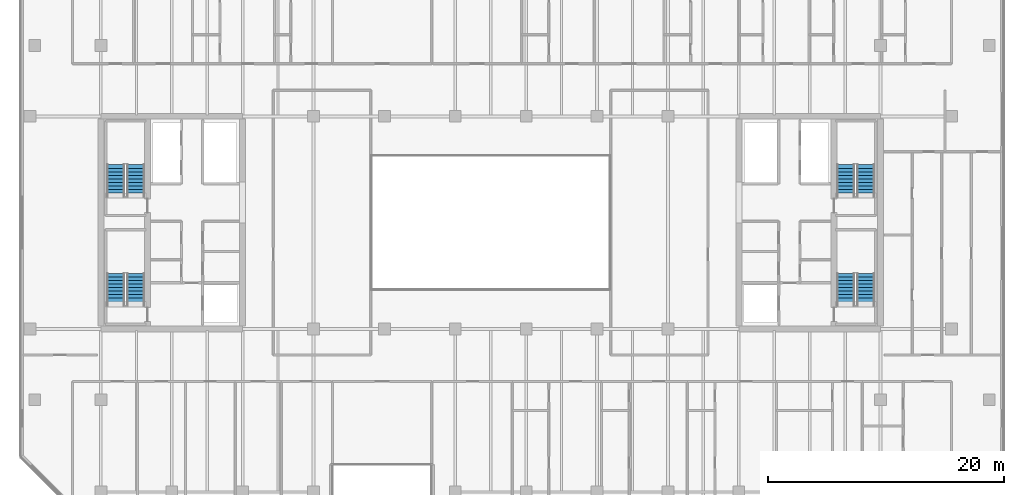
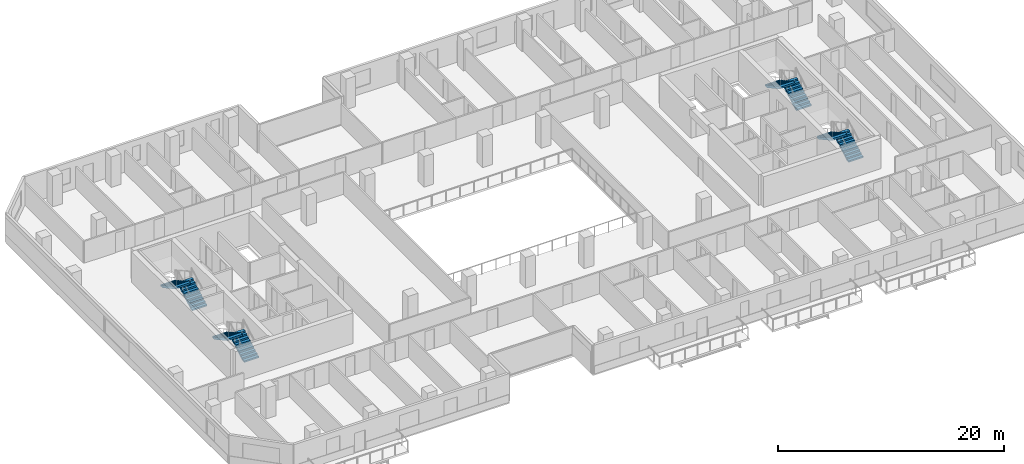
# One storey, part 17 of 23: 8 stair flights, 4 elements without a shape of their own.
"""IFC4 building model written with IfcOpenShell, lengths in metres."""

from ifc_helpers import new_model, si_unit, direction, frame, origin, place, context, subcontext, project, spatial, polyline, outline, extrude, material, type_object, element, aggregate, save


model = new_model("IFC4")

# Units and contexts
model_context = context("Model", 3, precision=1e-05, world=origin(), true_north=direction((0.0, 1.0)))
body_context = subcontext(model_context, "Body", "Model", "MODEL_VIEW")
ifc_project = project(units=[si_unit("LENGTHUNIT", "METRE"), si_unit("AREAUNIT", "SQUARE_METRE"), si_unit("VOLUMEUNIT", "CUBIC_METRE"), si_unit("PLANEANGLEUNIT", "RADIAN"), si_unit("MASSUNIT", "GRAM", prefix="KILO")], contexts=[model_context])

# Site, building, storey
site_placement = place(None, origin())
site = spatial("IfcSite", under=ifc_project, at=site_placement, CompositionType="ELEMENT")
building_placement = place(site_placement, origin())
building = spatial("IfcBuilding", under=site, at=building_placement, Name="Tanjung Sevakor Pilgrim Tower", CompositionType="ELEMENT")
storey_placement = place(building_placement, frame((0.0, 0.0, 98.669921875)))
storey = spatial("IfcBuildingStorey", under=building, at=storey_placement, Name="L27", CompositionType="ELEMENT", Elevation=98.669921875)

# Stair, stair flights
ifc_material_1 = material(Name="Concrete C40/50", Category="concrete")
stair_type = type_object("IfcStairType", Name="STAIR-ST-CR150", PredefinedType="HALF_TURN_STAIR", material=ifc_material_1)
stair_1_placement = place(storey_placement, origin())
stair_1 = element("IfcStair", 1, at=stair_1_placement, inside=storey, type_object=stair_type, Name="L27 West Core Exit Stair 1", PredefinedType="HALF_TURN_STAIR")
ifc_material_2 = material(Name="Concrete C40/50", Category="concrete")
stair_flight_type = type_object("IfcStairFlightType", Name="FLIGHT-ST-CR150", PredefinedType="STRAIGHT", material=ifc_material_2)
stair_flight_1_placement = place(storey_placement, frame((26.949951171875, 26.60009765625, 0.0), z_axis=(0.0, 0.0, 1.0), x_axis=(0.0, 1.0, 0.0)))
stair_flight_1 = element("IfcStairFlight", 2, at=stair_flight_1_placement, type_object=stair_flight_type, Name="TS-W1 flight 1", NumberOfRisers=10, NumberOfTreads=9, PredefinedType="STRAIGHT", RiserHeight=0.165, TreadLength=0.3, context=body_context, shape_type="SweptSolid", body=[
    extrude(outline(polyline([(0.0, 0.0), (0.0, 0.1650390625), (0.300048828125, 0.1650390625), (0.300048828125, 0.330078125), (0.60009765625, 0.330078125), (0.60009765625, 0.4951171875), (0.89990234375, 0.4951171875), (0.89990234375, 0.659912109375), (1.199951171875, 0.659912109375), (1.199951171875, 0.824951171875), (1.5, 0.824951171875), (1.5, 0.989990234375), (1.800048828125, 0.989990234375), (1.800048828125, 1.155029296875), (2.10009765625, 1.155029296875), (2.10009765625, 1.320068359375), (2.39990234375, 1.320068359375), (2.39990234375, 1.485107421875), (2.699951171875, 1.485107421875), (2.699951171875, 1.64990234375), (2.699951171875, 1.302490234375), (0.331787109375, 0.0), (0.0, 0.0)])), frame((0.0, 0.75, 0.0), z_axis=(0.0, -1.0, 0.0), x_axis=(1.0, 0.0, 0.0)), (0.0, 0.0, 1.0), 1.5),
])
stair_flight_2_placement = place(storey_placement, frame((25.25, 29.300048828125, 1.650146484375), z_axis=(0.0, 0.0, 1.0), x_axis=(0.0, -1.0, 0.0)))
stair_flight_2 = element("IfcStairFlight", 3, at=stair_flight_2_placement, type_object=stair_flight_type, Name="TS-W1 flight 2", NumberOfRisers=10, NumberOfTreads=9, PredefinedType="STRAIGHT", RiserHeight=0.165, TreadLength=0.3, context=body_context, shape_type="SweptSolid", body=[
    extrude(outline(polyline([(0.0, 0.0), (0.0, 0.1650390625), (0.300048828125, 0.1650390625), (0.300048828125, 0.330078125), (0.60009765625, 0.330078125), (0.60009765625, 0.4951171875), (0.89990234375, 0.4951171875), (0.89990234375, 0.659912109375), (1.199951171875, 0.659912109375), (1.199951171875, 0.824951171875), (1.5, 0.824951171875), (1.5, 0.989990234375), (1.800048828125, 0.989990234375), (1.800048828125, 1.155029296875), (2.10009765625, 1.155029296875), (2.10009765625, 1.320068359375), (2.39990234375, 1.320068359375), (2.39990234375, 1.485107421875), (2.699951171875, 1.485107421875), (2.699951171875, 1.64990234375), (2.699951171875, 1.302490234375), (0.331787109375, 0.0), (0.0, 0.0)])), frame((0.0, 0.75, 0.0), z_axis=(0.0, -1.0, 0.0), x_axis=(1.0, 0.0, 0.0)), (0.0, 0.0, 1.0), 1.5),
])
aggregate(stair_1, [stair_flight_1, stair_flight_2])

stair_2_placement = place(storey_placement, origin())
stair_2 = element("IfcStair", 4, at=stair_2_placement, inside=storey, type_object=stair_type, Name="L27 West Core Exit Stair 2", PredefinedType="HALF_TURN_STAIR")
stair_flight_3_placement = place(storey_placement, frame((26.949951171875, 35.800048828125, 0.0), z_axis=(0.0, 0.0, 1.0), x_axis=(0.0, 1.0, 0.0)))
stair_flight_3 = element("IfcStairFlight", 5, at=stair_flight_3_placement, type_object=stair_flight_type, Name="TS-W2 flight 1", NumberOfRisers=10, NumberOfTreads=9, PredefinedType="STRAIGHT", RiserHeight=0.165, TreadLength=0.3, context=body_context, shape_type="SweptSolid", body=[
    extrude(outline(polyline([(0.0, 0.0), (0.0, 0.1650390625), (0.300048828125, 0.1650390625), (0.300048828125, 0.330078125), (0.60009765625, 0.330078125), (0.60009765625, 0.4951171875), (0.89990234375, 0.4951171875), (0.89990234375, 0.659912109375), (1.199951171875, 0.659912109375), (1.199951171875, 0.824951171875), (1.5, 0.824951171875), (1.5, 0.989990234375), (1.800048828125, 0.989990234375), (1.800048828125, 1.155029296875), (2.10009765625, 1.155029296875), (2.10009765625, 1.320068359375), (2.39990234375, 1.320068359375), (2.39990234375, 1.485107421875), (2.699951171875, 1.485107421875), (2.699951171875, 1.64990234375), (2.699951171875, 1.302490234375), (0.331787109375, 0.0), (0.0, 0.0)])), frame((0.0, 0.75, 0.0), z_axis=(0.0, -1.0, 0.0), x_axis=(1.0, 0.0, 0.0)), (0.0, 0.0, 1.0), 1.5),
])
stair_flight_4_placement = place(storey_placement, frame((25.25, 38.5, 1.650146484375), z_axis=(0.0, 0.0, 1.0), x_axis=(0.0, -1.0, 0.0)))
stair_flight_4 = element("IfcStairFlight", 6, at=stair_flight_4_placement, type_object=stair_flight_type, Name="TS-W2 flight 2", NumberOfRisers=10, NumberOfTreads=9, PredefinedType="STRAIGHT", RiserHeight=0.165, TreadLength=0.3, context=body_context, shape_type="SweptSolid", body=[
    extrude(outline(polyline([(0.0, 0.0), (0.0, 0.1650390625), (0.300048828125, 0.1650390625), (0.300048828125, 0.330078125), (0.60009765625, 0.330078125), (0.60009765625, 0.4951171875), (0.89990234375, 0.4951171875), (0.89990234375, 0.659912109375), (1.199951171875, 0.659912109375), (1.199951171875, 0.824951171875), (1.5, 0.824951171875), (1.5, 0.989990234375), (1.800048828125, 0.989990234375), (1.800048828125, 1.155029296875), (2.10009765625, 1.155029296875), (2.10009765625, 1.320068359375), (2.39990234375, 1.320068359375), (2.39990234375, 1.485107421875), (2.699951171875, 1.485107421875), (2.699951171875, 1.64990234375), (2.699951171875, 1.302490234375), (0.331787109375, 0.0), (0.0, 0.0)])), frame((0.0, 0.75, 0.0), z_axis=(0.0, -1.0, 0.0), x_axis=(1.0, 0.0, 0.0)), (0.0, 0.0, 1.0), 1.5),
])
aggregate(stair_2, [stair_flight_3, stair_flight_4])

stair_3_placement = place(storey_placement, origin())
stair_3 = element("IfcStair", 7, at=stair_3_placement, inside=storey, type_object=stair_type, Name="L27 East Core Exit Stair 1", PredefinedType="HALF_TURN_STAIR")
stair_flight_5_placement = place(storey_placement, frame((88.75, 26.60009765625, 0.0), z_axis=(0.0, 0.0, 1.0), x_axis=(0.0, 1.0, 0.0)))
stair_flight_5 = element("IfcStairFlight", 8, at=stair_flight_5_placement, type_object=stair_flight_type, Name="TS-E1 flight 1", NumberOfRisers=10, NumberOfTreads=9, PredefinedType="STRAIGHT", RiserHeight=0.165, TreadLength=0.3, context=body_context, shape_type="SweptSolid", body=[
    extrude(outline(polyline([(0.0, 0.0), (0.0, 0.1650390625), (0.300048828125, 0.1650390625), (0.300048828125, 0.330078125), (0.60009765625, 0.330078125), (0.60009765625, 0.4951171875), (0.89990234375, 0.4951171875), (0.89990234375, 0.659912109375), (1.199951171875, 0.659912109375), (1.199951171875, 0.824951171875), (1.5, 0.824951171875), (1.5, 0.989990234375), (1.800048828125, 0.989990234375), (1.800048828125, 1.155029296875), (2.10009765625, 1.155029296875), (2.10009765625, 1.320068359375), (2.39990234375, 1.320068359375), (2.39990234375, 1.485107421875), (2.699951171875, 1.485107421875), (2.699951171875, 1.64990234375), (2.699951171875, 1.302490234375), (0.331787109375, 0.0), (0.0, 0.0)])), frame((0.0, 0.75, 0.0), z_axis=(0.0, -1.0, 0.0), x_axis=(1.0, 0.0, 0.0)), (0.0, 0.0, 1.0), 1.5),
])
stair_flight_6_placement = place(storey_placement, frame((87.050048828125, 29.300048828125, 1.650146484375), z_axis=(0.0, 0.0, 1.0), x_axis=(0.0, -1.0, 0.0)))
stair_flight_6 = element("IfcStairFlight", 9, at=stair_flight_6_placement, type_object=stair_flight_type, Name="TS-E1 flight 2", NumberOfRisers=10, NumberOfTreads=9, PredefinedType="STRAIGHT", RiserHeight=0.165, TreadLength=0.3, context=body_context, shape_type="SweptSolid", body=[
    extrude(outline(polyline([(0.0, 0.0), (0.0, 0.1650390625), (0.300048828125, 0.1650390625), (0.300048828125, 0.330078125), (0.60009765625, 0.330078125), (0.60009765625, 0.4951171875), (0.89990234375, 0.4951171875), (0.89990234375, 0.659912109375), (1.199951171875, 0.659912109375), (1.199951171875, 0.824951171875), (1.5, 0.824951171875), (1.5, 0.989990234375), (1.800048828125, 0.989990234375), (1.800048828125, 1.155029296875), (2.10009765625, 1.155029296875), (2.10009765625, 1.320068359375), (2.39990234375, 1.320068359375), (2.39990234375, 1.485107421875), (2.699951171875, 1.485107421875), (2.699951171875, 1.64990234375), (2.699951171875, 1.302490234375), (0.331787109375, 0.0), (0.0, 0.0)])), frame((0.0, 0.75, 0.0), z_axis=(0.0, -1.0, 0.0), x_axis=(1.0, 0.0, 0.0)), (0.0, 0.0, 1.0), 1.5),
])
aggregate(stair_3, [stair_flight_5, stair_flight_6])

stair_4_placement = place(storey_placement, origin())
stair_4 = element("IfcStair", 10, at=stair_4_placement, inside=storey, type_object=stair_type, Name="L27 East Core Exit Stair 2", PredefinedType="HALF_TURN_STAIR")
stair_flight_7_placement = place(storey_placement, frame((88.75, 35.800048828125, 0.0), z_axis=(0.0, 0.0, 1.0), x_axis=(0.0, 1.0, 0.0)))
stair_flight_7 = element("IfcStairFlight", 11, at=stair_flight_7_placement, type_object=stair_flight_type, Name="TS-E2 flight 1", NumberOfRisers=10, NumberOfTreads=9, PredefinedType="STRAIGHT", RiserHeight=0.165, TreadLength=0.3, context=body_context, shape_type="SweptSolid", body=[
    extrude(outline(polyline([(0.0, 0.0), (0.0, 0.1650390625), (0.300048828125, 0.1650390625), (0.300048828125, 0.330078125), (0.60009765625, 0.330078125), (0.60009765625, 0.4951171875), (0.89990234375, 0.4951171875), (0.89990234375, 0.659912109375), (1.199951171875, 0.659912109375), (1.199951171875, 0.824951171875), (1.5, 0.824951171875), (1.5, 0.989990234375), (1.800048828125, 0.989990234375), (1.800048828125, 1.155029296875), (2.10009765625, 1.155029296875), (2.10009765625, 1.320068359375), (2.39990234375, 1.320068359375), (2.39990234375, 1.485107421875), (2.699951171875, 1.485107421875), (2.699951171875, 1.64990234375), (2.699951171875, 1.302490234375), (0.331787109375, 0.0), (0.0, 0.0)])), frame((0.0, 0.75, 0.0), z_axis=(0.0, -1.0, 0.0), x_axis=(1.0, 0.0, 0.0)), (0.0, 0.0, 1.0), 1.5),
])
stair_flight_8_placement = place(storey_placement, frame((87.050048828125, 38.5, 1.650146484375), z_axis=(0.0, 0.0, 1.0), x_axis=(0.0, -1.0, 0.0)))
stair_flight_8 = element("IfcStairFlight", 12, at=stair_flight_8_placement, type_object=stair_flight_type, Name="TS-E2 flight 2", NumberOfRisers=10, NumberOfTreads=9, PredefinedType="STRAIGHT", RiserHeight=0.165, TreadLength=0.3, context=body_context, shape_type="SweptSolid", body=[
    extrude(outline(polyline([(0.0, 0.0), (0.0, 0.1650390625), (0.300048828125, 0.1650390625), (0.300048828125, 0.330078125), (0.60009765625, 0.330078125), (0.60009765625, 0.4951171875), (0.89990234375, 0.4951171875), (0.89990234375, 0.659912109375), (1.199951171875, 0.659912109375), (1.199951171875, 0.824951171875), (1.5, 0.824951171875), (1.5, 0.989990234375), (1.800048828125, 0.989990234375), (1.800048828125, 1.155029296875), (2.10009765625, 1.155029296875), (2.10009765625, 1.320068359375), (2.39990234375, 1.320068359375), (2.39990234375, 1.485107421875), (2.699951171875, 1.485107421875), (2.699951171875, 1.64990234375), (2.699951171875, 1.302490234375), (0.331787109375, 0.0), (0.0, 0.0)])), frame((0.0, 0.75, 0.0), z_axis=(0.0, -1.0, 0.0), x_axis=(1.0, 0.0, 0.0)), (0.0, 0.0, 1.0), 1.5),
])
aggregate(stair_4, [stair_flight_7, stair_flight_8])

save(model, "model.ifc")
